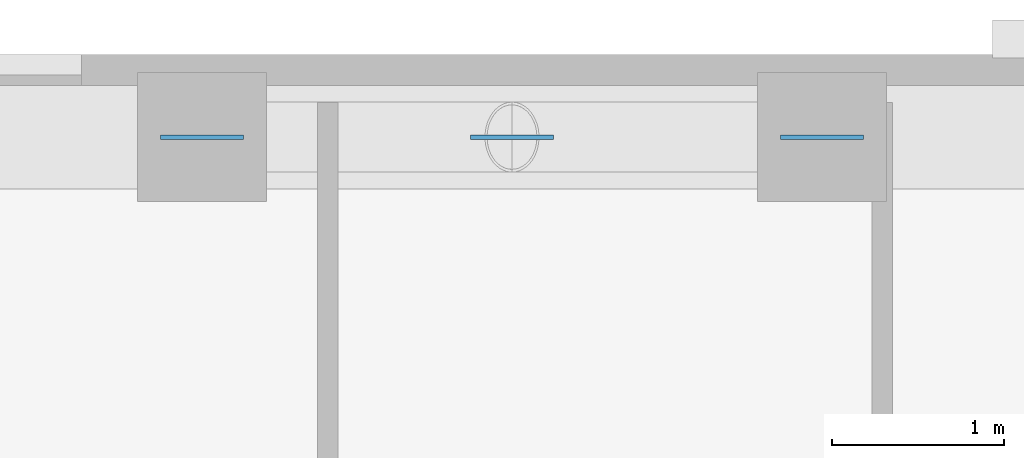
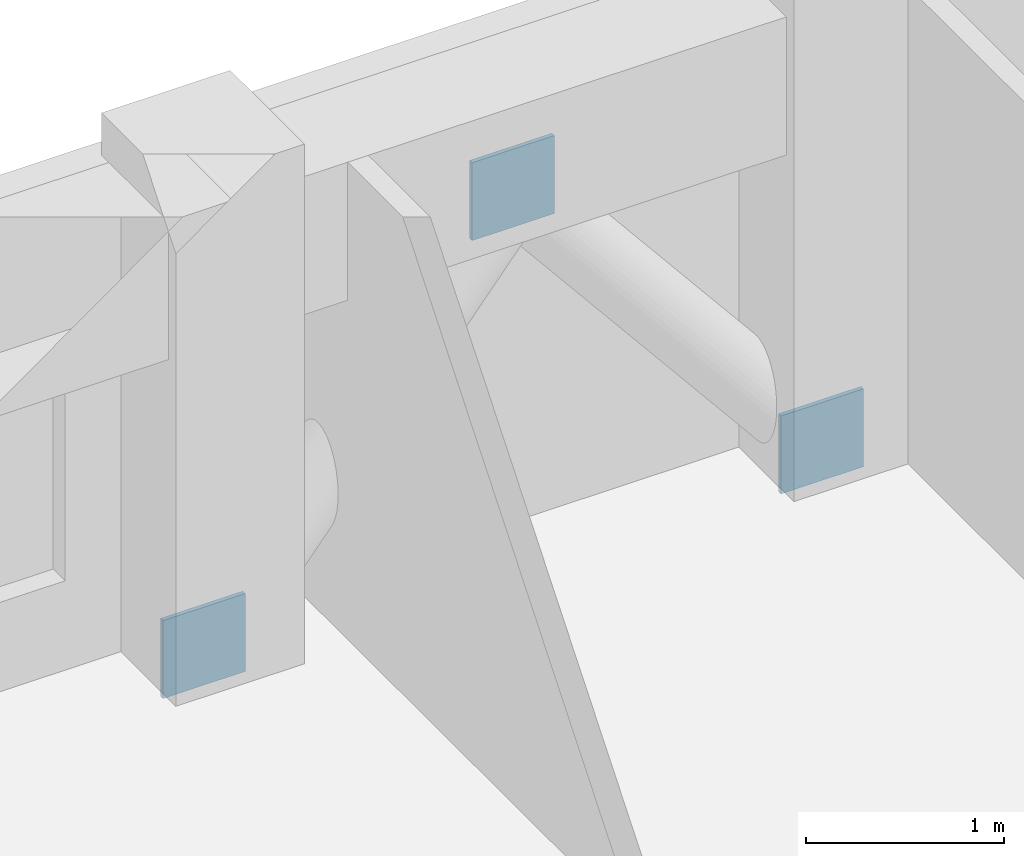
# One storey, part 11 of 13: 3 discrete accessories.
"""IFC4 building model written with IfcOpenShell, lengths in metres."""

import ifcopenshell
import ifcopenshell.guid

model = None  # the IFC model being written
_history = None  # IfcOwnerHistory: only IFC2X3 demands one
_inside = {}  # id of a spatial element -> (the spatial element, [elements in it])
_under = {}  # id of a project, library or spatial element -> (it, [spatial elements below it])
_declared = {}  # id of a project -> (the project, [libraries it declares])
_typed = {}  # id of a type object -> (the type object, [elements of that type])
_made_of = {}  # id of a material, layer set ... -> (it, [elements and type objects made of it])


def new_model(schema):
    """Start an empty IFC model of exactly this schema.

    Asked for "IFC4X3", IfcOpenShell would pick the latest addendum, in which some entities
    have other attributes; the version numbers below select the first issue.
    IFC2X3 requires an IfcOwnerHistory on every rooted entity: one is made here for all.
    """
    global model, _history
    if schema == "IFC4X3":
        model = ifcopenshell.file(schema_version=(4, 3, 0, 0))
    else:
        model = ifcopenshell.file(schema=schema)
    _inside.clear()
    _under.clear()
    _declared.clear()
    _typed.clear()
    _made_of.clear()
    _history = None
    if model.schema == "IFC2X3":
        org = make("IfcOrganization", Name="unknown")
        user = make(
            "IfcPersonAndOrganization",
            ThePerson=make("IfcPerson", FamilyName="unknown"),
            TheOrganization=org,
        )
        app = make(
            "IfcApplication",
            ApplicationDeveloper=org,
            Version="unknown",
            ApplicationFullName="unknown",
            ApplicationIdentifier="unknown",
        )
        _history = make(
            "IfcOwnerHistory",
            OwningUser=user,
            OwningApplication=app,
            ChangeAction="ADDED",
            CreationDate=0,
        )
    return model


def make(cls, **values):
    """One entity of the class cls with the attributes given. An attribute that is None is left unset."""
    return model.create_entity(
        cls, **{name: value for name, value in values.items() if value is not None}
    )


def rooted(cls, **values):
    """An entity with a GlobalId (a new one), such as an element, a storey or a relation."""
    return make(cls, GlobalId=ifcopenshell.guid.new(), OwnerHistory=_history, **values)


def si_unit(unit_type, name, prefix=None):
    """IfcSIUnit, for example si_unit("LENGTHUNIT", "METRE", prefix="MILLI")."""
    return make("IfcSIUnit", UnitType=unit_type, Prefix=prefix, Name=name)


def derived_unit(unit_type, elements):
    """IfcDerivedUnit: a product of units, each with its exponent."""
    return make(
        "IfcDerivedUnit",
        Elements=[
            make("IfcDerivedUnitElement", Unit=unit, Exponent=power)
            for unit, power in elements
        ],
        UnitType=unit_type,
    )


def assignment(units):
    """IfcUnitAssignment: the units of a project."""
    return None if units is None else make("IfcUnitAssignment", Units=units)


def point(xyz):
    """IfcCartesianPoint."""
    return None if xyz is None else make("IfcCartesianPoint", Coordinates=xyz)


def direction(xyz):
    """IfcDirection."""
    return None if xyz is None else make("IfcDirection", DirectionRatios=xyz)


def frame(location, z_axis=None, x_axis=None):
    """IfcAxis2Placement3D, a coordinate frame: its origin and axes. An axis left out is left unset."""
    return make(
        "IfcAxis2Placement3D",
        Location=point(location),
        Axis=direction(z_axis),
        RefDirection=direction(x_axis),
    )


def frame_2d(location, x_axis=None):
    """IfcAxis2Placement2D, a coordinate frame in the plane: its origin and x axis."""
    return make(
        "IfcAxis2Placement2D", Location=point(location), RefDirection=direction(x_axis)
    )


def origin():
    """The frame at (0, 0, 0) with its axes left unset."""
    return frame((0.0, 0.0, 0.0))


def origin_2d():
    """The frame at (0, 0) in the plane with its x axis left unset."""
    return frame_2d((0.0, 0.0))


def place(relative_to, where):
    """IfcLocalPlacement: puts the frame where relative to a parent placement (None: the world)."""
    return make(
        "IfcLocalPlacement", PlacementRelTo=relative_to, RelativePlacement=where
    )


def context(
    kind, dimensions, precision=None, world=None, true_north=None, identifier=None
):
    """IfcGeometricRepresentationContext, for example the 3D "Model" context."""
    return make(
        "IfcGeometricRepresentationContext",
        ContextIdentifier=identifier,
        ContextType=kind,
        CoordinateSpaceDimension=dimensions,
        Precision=precision,
        WorldCoordinateSystem=world,
        TrueNorth=true_north,
    )


def subcontext(parent, identifier, kind, view, scale=None):
    """IfcGeometricRepresentationSubContext, for example "Body" below "Model"."""
    return make(
        "IfcGeometricRepresentationSubContext",
        ContextIdentifier=identifier,
        ContextType=kind,
        ParentContext=parent,
        TargetScale=scale,
        TargetView=view,
    )


def project(units=None, contexts=None):
    """IfcProject with its units and contexts."""
    return rooted(
        "IfcProject",
        Name="project",
        RepresentationContexts=contexts,
        UnitsInContext=assignment(units),
    )


def spatial(cls, under=None, at=None, **own):
    """A site, building, storey or space (cls), placed at a placement, below another one or the project."""
    s = rooted(cls, ObjectPlacement=at, **own)
    if under is not None:
        _under.setdefault(under.id(), (under, []))[1].append(s)
    return s


def profile(cls, at=None, kind="AREA", **sizes):
    """A parametric profile (cls). Its sizes go by their IFC names, for example OverallWidth=200.0."""
    return make(cls, ProfileType=kind, Position=at, **sizes)


def rectangle(**sizes):
    """IfcRectangleProfileDef."""
    return profile("IfcRectangleProfileDef", **sizes)


def extrude(swept, where, along, depth):
    """IfcExtrudedAreaSolid: the profile swept, set in the frame where, extruded along a direction by depth."""
    return make(
        "IfcExtrudedAreaSolid",
        SweptArea=swept,
        Position=where,
        ExtrudedDirection=direction(along),
        Depth=depth,
    )


def shape(context_of_items, identifier, shape_type, items):
    """IfcShapeRepresentation: the items that make up one representation, for example the "Body"."""
    return make(
        "IfcShapeRepresentation",
        ContextOfItems=context_of_items,
        RepresentationIdentifier=identifier,
        RepresentationType=shape_type,
        Items=items,
    )


def material(Name=None, Category=None):
    """IfcMaterial."""
    return make("IfcMaterial", Name=Name, Category=Category)


def layer(
    of_material, thickness, ventilated=None, Name=None, Category=None, Priority=None
):
    """IfcMaterialLayer: one layer of a wall or slab, of a material (None: an air gap)."""
    return make(
        "IfcMaterialLayer",
        Material=of_material,
        LayerThickness=thickness,
        IsVentilated=ventilated,
        Name=Name,
        Category=Category,
        Priority=Priority,
    )


def layer_set(layers, Name=None):
    """IfcMaterialLayerSet."""
    return make("IfcMaterialLayerSet", MaterialLayers=layers, LayerSetName=Name)


def made_of(thing, what):
    """Note that an element or type object is made of a material, layer set ...; save() writes the relation."""
    if what is not None:
        _made_of.setdefault(what.id(), (what, []))[1].append(thing)
    return thing


def type_object(cls, material=None, **own):
    """A type object (cls), such as IfcWallType, which elements share."""
    return made_of(rooted(cls, **own), material)


def element(
    cls,
    number,
    at=None,
    inside=None,
    cuts=None,
    type_object=None,
    material=None,
    context=None,
    identifier="Body",
    shape_type=None,
    held_by="IfcProductDefinitionShape",
    body=None,
    shapes=None,
    **own,
):
    """One element of the class cls, such as IfcWall. Its Tag is "e" and its number.

    at: its placement. inside: the storey or other place that contains it. cuts: it is an
    opening in that element (IfcRelVoidsElement). A single representation is given by context,
    identifier, shape_type and body (its items); several are given by shapes. held_by: the class
    of the entity that holds the representations. save() writes the other relations.
    """
    e = rooted(cls, Tag="e%d" % number, ObjectPlacement=at, **own)
    if body is not None:
        shapes = [shape(context, identifier, shape_type, body)]
    if shapes is not None:
        e.Representation = make(held_by, Representations=shapes)
    if inside is not None:
        _inside.setdefault(inside.id(), (inside, []))[1].append(e)
    if cuts is not None:
        rooted(
            "IfcRelVoidsElement", RelatingBuildingElement=cuts, RelatedOpeningElement=e
        )
    if type_object is not None:
        _typed.setdefault(type_object.id(), (type_object, []))[1].append(e)
    return made_of(e, material)


def aggregate(whole, parts):
    """IfcRelAggregates: a whole, such as a stair, and the parts it consists of."""
    return rooted("IfcRelAggregates", RelatingObject=whole, RelatedObjects=parts)


def save(model, path):
    """Write the relations noted so far, then the file.

    IfcRelAggregates (storeys below a building ...), IfcRelContainedInSpatialStructure (elements
    in a storey), IfcRelDefinesByType, IfcRelAssociatesMaterial and IfcRelDeclares: one each for
    every whole, place, type object, material and project.
    """
    for whole, parts in _under.values():
        aggregate(whole, parts)
    for where, things in _inside.values():
        rooted(
            "IfcRelContainedInSpatialStructure",
            RelatedElements=things,
            RelatingStructure=where,
        )
    for kind, things in _typed.values():
        rooted("IfcRelDefinesByType", RelatedObjects=things, RelatingType=kind)
    for what, things in _made_of.values():
        rooted("IfcRelAssociatesMaterial", RelatedObjects=things, RelatingMaterial=what)
    for by, libraries in _declared.values():
        rooted("IfcRelDeclares", RelatingContext=by, RelatedDefinitions=libraries)
    model.write(path)


model = new_model("IFC4")

# Units and contexts
model_context = context("Model", 3, precision=1e-05, world=origin(), true_north=direction((0.0, 1.0)))
body_context = subcontext(model_context, "Body", "Model", "MODEL_VIEW")
ifc_project = project(units=[si_unit("LENGTHUNIT", "METRE"), si_unit("AREAUNIT", "SQUARE_METRE"), si_unit("VOLUMEUNIT", "CUBIC_METRE"), si_unit("PLANEANGLEUNIT", "RADIAN"), si_unit("MASSUNIT", "GRAM", prefix="KILO"), derived_unit("THERMALTRANSMITTANCEUNIT", [(si_unit("MASSUNIT", "GRAM", prefix="KILO"), 1), (si_unit("TIMEUNIT", "SECOND"), -3), (si_unit("THERMODYNAMICTEMPERATUREUNIT", "KELVIN"), -1)])], contexts=[model_context])

# Site, building, storey
site_placement = place(None, origin())
site = spatial("IfcSite", under=ifc_project, at=site_placement, CompositionType="ELEMENT")
building_placement = place(site_placement, origin())
building = spatial("IfcBuilding", under=site, at=building_placement, Name="Korrvale Station Residences", CompositionType="ELEMENT")
storey_placement = place(building_placement, frame((0.0, 0.0, 100.699951171875)))
storey = spatial("IfcBuildingStorey", under=building, at=storey_placement, Name="L28", CompositionType="ELEMENT", Elevation=100.699951171875)

# Discrete accessories
ifc_material = material(Name="Steel S355", Category="steel")
ifc_layer = layer(ifc_material, 0.02490234375, Name="Steel S355")
ifc_layer_set = layer_set([ifc_layer], Name="Steel S355")
discrete_accessory_type = type_object("IfcDiscreteAccessoryType", Name="ACC-GUSSET-25", PredefinedType="BRACKET", material=ifc_layer_set)
for number, where, z_axis, x_axis, name in (
    (1, (23.199951171875, 42.820068359375, -0.219970703125), (0.0, 0.0, 1.0), (1.0, 0.0, 0.0), "L28 N Brace End Gusset Connection A"),
    (2, (26.800048828125, 42.820068359375, -0.219970703125), (0.0, 0.0, 1.0), (1.0, 0.0, 0.0), "L28 N Brace End Gusset Connection B"),
    (3, (25.0, 42.820068359375, 1.969970703125), (0.0, 0.0, 1.0), (1.0, 0.0, 0.0), "L28 N Brace End Gusset Connection M"),
):
    element("IfcDiscreteAccessory", number, at=place(storey_placement, frame(where, z_axis=z_axis, x_axis=x_axis)), inside=storey, type_object=discrete_accessory_type, Name=name, PredefinedType="BRACKET", context=body_context, shape_type="SweptSolid", body=[
        extrude(rectangle(XDim=0.47998046875, YDim=0.02490234375, at=origin_2d()), origin(), (0.0, 0.0, 1.0), 0.47998046875),
    ])

save(model, "model.ifc")
